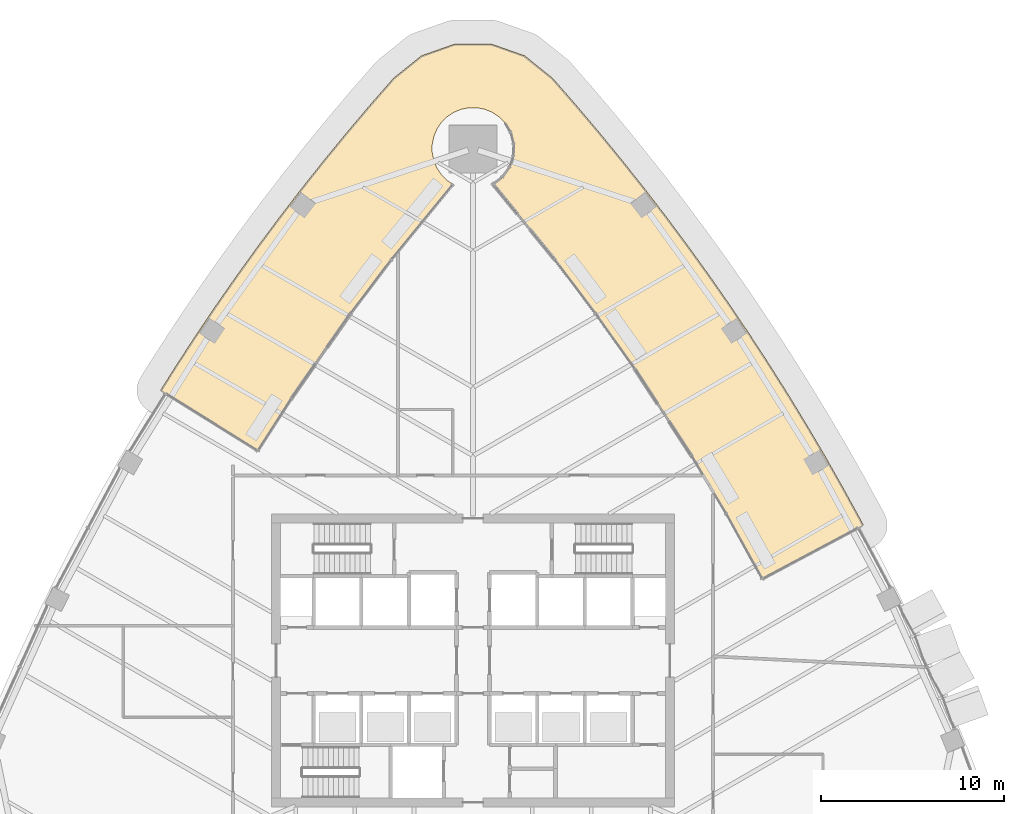
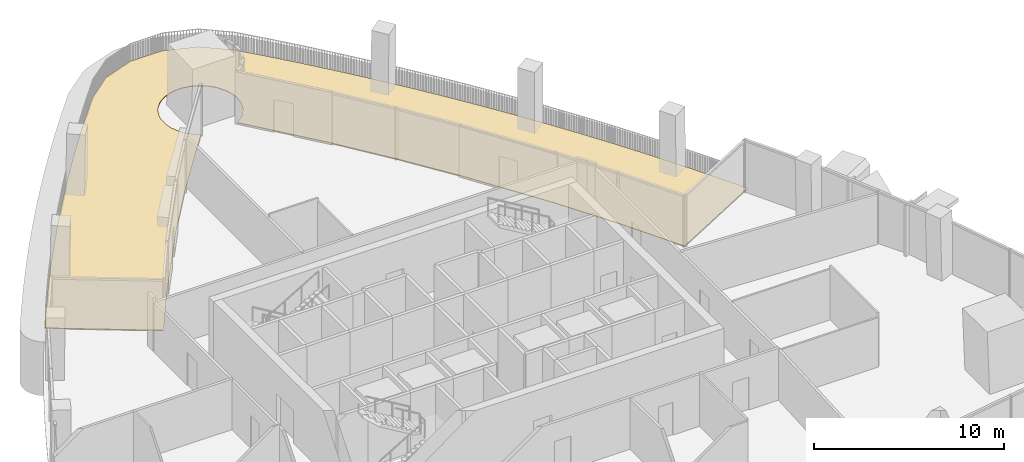
# One storey, part 19 of 21: 1 covering.
"""IFC4 building model written with IfcOpenShell, lengths in metres."""

from ifc_helpers import new_model, si_unit, direction, frame, origin, place, context, subcontext, project, spatial, polyline, outline, extrude, material, layer, layer_set, type_object, element, save


model = new_model("IFC4")

# Units and contexts
model_context = context("Model", 3, precision=1e-05, world=origin(), true_north=direction((0.0, 1.0)))
body_context = subcontext(model_context, "Body", "Model", "MODEL_VIEW")
ifc_project = project(units=[si_unit("LENGTHUNIT", "METRE"), si_unit("AREAUNIT", "SQUARE_METRE"), si_unit("VOLUMEUNIT", "CUBIC_METRE"), si_unit("PLANEANGLEUNIT", "RADIAN"), si_unit("MASSUNIT", "GRAM", prefix="KILO")], contexts=[model_context])

# Site, building, storey
site_placement = place(None, origin())
site = spatial("IfcSite", under=ifc_project, at=site_placement, CompositionType="ELEMENT")
building_placement = place(site_placement, origin())
building = spatial("IfcBuilding", under=site, at=building_placement, Name="Sierra Prisma Convention Tower", CompositionType="ELEMENT")
storey_placement = place(building_placement, frame((0.0, 0.0, 157.800048828125)))
storey = spatial("IfcBuildingStorey", under=building, at=storey_placement, Name="L34", CompositionType="ELEMENT", Elevation=157.800048828125)

# Covering
ifc_material = material(Name="Porcelain stoneware paving", Category="masonry")
ifc_layer = layer(ifc_material, 0.0400390625)
ifc_layer_set = layer_set([ifc_layer], Name="Terrace paving")
covering_type = type_object("IfcCoveringType", Name="Terrace paving", PredefinedType="FLOORING", material=ifc_layer_set)
covering_placement = place(storey_placement, origin())
element("IfcCovering", 1, at=covering_placement, inside=storey, type_object=covering_type, Name="Terrace paving L34", PredefinedType="FLOORING", context=body_context, shape_type="SweptSolid", body=[
    extrude(outline(polyline([(21.304443359375, 7.392822265625), (21.154052734375, 7.67822265625), (20.2119140625, 9.401611328125), (19.2431640625, 11.110107421875), (18.247802734375, 12.80322265625), (17.2265625, 14.480712890625), (16.179443359375, 16.14208984375), (15.1064453125, 17.787109375), (14.008056640625, 19.415283203125), (12.884521484375, 21.026123046875), (11.736328125, 22.619384765625), (10.563232421875, 24.19482421875), (9.365966796875, 25.75146484375), (8.144775390625, 27.28955078125), (6.899658203125, 28.80859375), (5.631103515625, 30.307861328125), (4.339599609375, 31.787353515625), (2.8173828125, 33.009033203125), (0.975830078125, 33.656494140625), (-0.975830078125, 33.656494140625), (-2.8173828125, 33.009033203125), (-4.339599609375, 31.787353515625), (-5.631103515625, 30.307861328125), (-6.899658203125, 28.80859375), (-8.144775390625, 27.28955078125), (-9.365966796875, 25.75146484375), (-10.563232421875, 24.19482421875), (-11.736328125, 22.619384765625), (-12.884521484375, 21.026123046875), (-14.008056640625, 19.415283203125), (-15.1064453125, 17.787109375), (-16.179443359375, 16.14208984375), (-17.054443359375, 14.753662109375), (-11.750732421875, 11.447021484375), (-9.89794921875, 14.33203125), (-6.6943359375, 18.92578125), (-4.441162109375, 21.903076171875), (-1.09716796875, 25.990234375), (-1.420166015625, 26.208984375), (-1.73046875, 26.519287109375), (-1.97412109375, 26.884033203125), (-2.14208984375, 27.28955078125), (-2.227783203125, 27.719970703125), (-2.227783203125, 28.15869140625), (-2.14208984375, 28.589111328125), (-1.97412109375, 28.994384765625), (-1.73046875, 29.359375), (-1.420166015625, 29.669677734375), (-1.05517578125, 29.91357421875), (-0.64990234375, 30.081298828125), (-0.219482421875, 30.1669921875), (0.219482421875, 30.1669921875), (0.64990234375, 30.081298828125), (1.05517578125, 29.91357421875), (1.420166015625, 29.669677734375), (1.73046875, 29.359375), (2.068115234375, 28.7958984375), (2.227783203125, 28.15869140625), (2.195556640625, 27.502685546875), (1.97412109375, 26.884033203125), (1.582763671875, 26.3564453125), (1.09716796875, 25.990234375), (4.441162109375, 21.903076171875), (6.6943359375, 18.92578125), (8.85400390625, 15.8798828125), (11.913330078125, 11.18896484375), (13.830322265625, 7.98486328125), (15.78662109375, 4.451904296875), (21.304443359375, 7.392822265625)])), origin(), (0.0, 0.0, 1.0), 0.0400390625),
])

save(model, "model.ifc")
